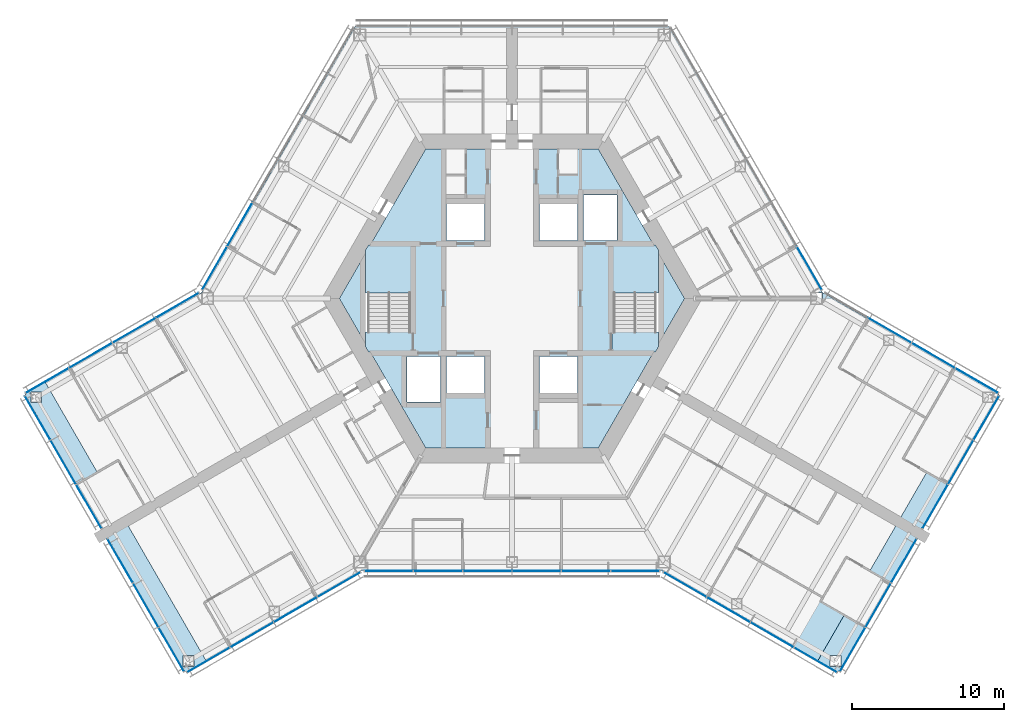
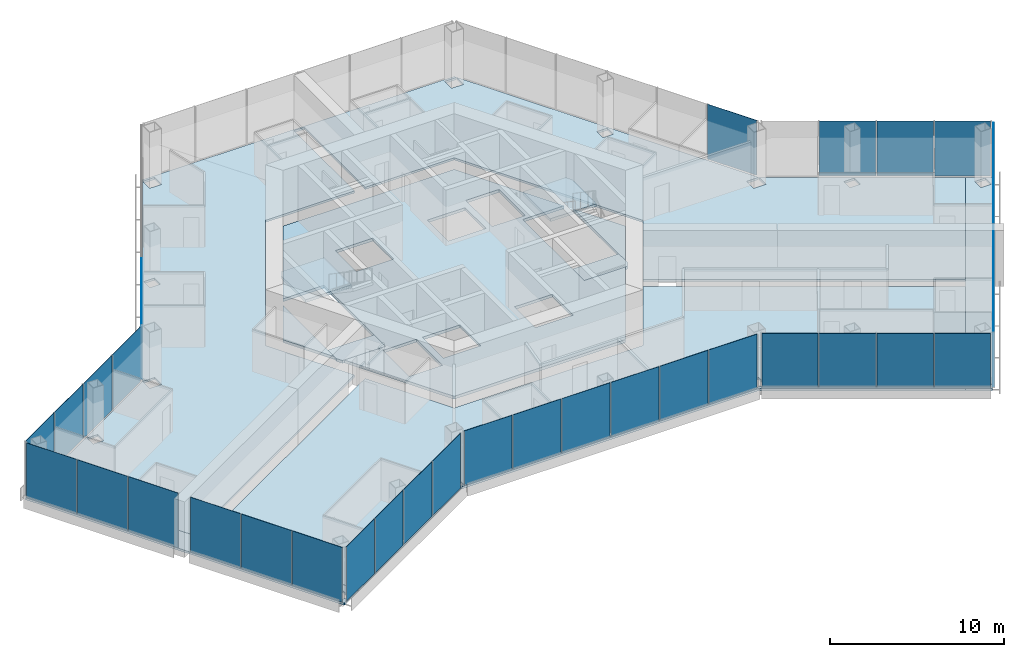
# One storey, part 10 of 18: 36 plates, 11 slabs, 13 elements without a shape of their own.
"""IFC4 building model written with IfcOpenShell, lengths in metres."""

from ifc_helpers import new_model, si_unit, direction, frame, origin, origin_2d, place, context, subcontext, project, spatial, polyline, rectangle, outline, extrude, material, layer, layer_set, type_object, element, aggregate, save


model = new_model("IFC4")

# Units and contexts
model_context = context("Model", 3, precision=1e-05, world=origin(), true_north=direction((0.0, 1.0)))
body_context = subcontext(model_context, "Body", "Model", "MODEL_VIEW")
ifc_project = project(units=[si_unit("LENGTHUNIT", "METRE"), si_unit("AREAUNIT", "SQUARE_METRE"), si_unit("VOLUMEUNIT", "CUBIC_METRE"), si_unit("PLANEANGLEUNIT", "RADIAN"), si_unit("MASSUNIT", "GRAM", prefix="KILO")], contexts=[model_context])

# Site, building, storey
site_placement = place(None, origin())
site = spatial("IfcSite", under=ifc_project, at=site_placement, CompositionType="ELEMENT")
building_placement = place(site_placement, origin())
building = spatial("IfcBuilding", under=site, at=building_placement, Name="Kasaneha Research Tower", CompositionType="ELEMENT")
storey_placement = place(building_placement, frame((0.0, 0.0, 172.10009765625)))
storey = spatial("IfcBuildingStorey", under=building, at=storey_placement, Name="L43", CompositionType="ELEMENT", Elevation=172.10009765625)

# Curtain wall, plates
ifc_material_1 = material(Name="Glass and aluminium", Category="aluminium")
curtain_wall_type = type_object("IfcCurtainWallType", Name="Mid-rise office curtain wall", PredefinedType="USERDEFINED", material=ifc_material_1)
curtain_wall_1_placement = place(storey_placement, origin())
curtain_wall_1 = element("IfcCurtainWall", 1, at=curtain_wall_1_placement, inside=storey, type_object=curtain_wall_type, Name="CW-O2 L43 run 01a", ObjectType="UNITISED CURTAIN WALL", PredefinedType="USERDEFINED")
ifc_material_2 = material(Name="Laminated double glazing", Category="glass")
ifc_layer_1 = layer(ifc_material_2, 0.02587890625)
ifc_layer_set_1 = layer_set([ifc_layer_1], Name="CW-O2 glazed panel")
plate_type = type_object("IfcPlateType", Name="CW-O2 glazed panel", PredefinedType="CURTAIN_PANEL", material=ifc_layer_set_1)
plate_1_placement = place(storey_placement, frame((-8.10107421875, -17.92041015625, 0.06005859375), z_axis=(0.0, 0.0, 1.0), x_axis=(1.0, 0.0, 0.0)))
plate_1 = element("IfcPlate", 2, at=plate_1_placement, type_object=plate_type, Name="CW-O2 panel 1", PredefinedType="CURTAIN_PANEL", context=body_context, shape_type="SweptSolid", body=[
    extrude(rectangle(XDim=3.156494140625, YDim=0.02587890625, at=origin_2d()), origin(), (0.0, 0.0, 1.0), 3.840087890625),
])
plate_2_placement = place(storey_placement, frame((-4.86962890625, -17.92041015625, 0.06005859375), z_axis=(0.0, 0.0, 1.0), x_axis=(1.0, 0.0, 0.0)))
plate_2 = element("IfcPlate", 3, at=plate_2_placement, type_object=plate_type, Name="CW-O2 panel 2", PredefinedType="CURTAIN_PANEL", context=body_context, shape_type="SweptSolid", body=[
    extrude(rectangle(XDim=3.1865234375, YDim=0.02587890625, at=origin_2d()), origin(), (0.0, 0.0, 1.0), 3.840087890625),
])
plate_3_placement = place(storey_placement, frame((-1.623291015625, -17.92041015625, 0.06005859375), z_axis=(0.0, 0.0, 1.0), x_axis=(1.0, 0.0, 0.0)))
plate_3 = element("IfcPlate", 4, at=plate_3_placement, type_object=plate_type, Name="CW-O2 panel 3", PredefinedType="CURTAIN_PANEL", context=body_context, shape_type="SweptSolid", body=[
    extrude(rectangle(XDim=3.1865234375, YDim=0.02587890625, at=origin_2d()), origin(), (0.0, 0.0, 1.0), 3.840087890625),
])
plate_4_placement = place(storey_placement, frame((1.623291015625, -17.92041015625, 0.06005859375), z_axis=(0.0, 0.0, 1.0), x_axis=(1.0, 0.0, 0.0)))
plate_4 = element("IfcPlate", 5, at=plate_4_placement, type_object=plate_type, Name="CW-O2 panel 4", PredefinedType="CURTAIN_PANEL", context=body_context, shape_type="SweptSolid", body=[
    extrude(rectangle(XDim=3.1865234375, YDim=0.02587890625, at=origin_2d()), origin(), (0.0, 0.0, 1.0), 3.840087890625),
])
plate_5_placement = place(storey_placement, frame((4.86962890625, -17.92041015625, 0.06005859375), z_axis=(0.0, 0.0, 1.0), x_axis=(1.0, 0.0, 0.0)))
plate_5 = element("IfcPlate", 6, at=plate_5_placement, type_object=plate_type, Name="CW-O2 panel 5", PredefinedType="CURTAIN_PANEL", context=body_context, shape_type="SweptSolid", body=[
    extrude(rectangle(XDim=3.1865234375, YDim=0.02587890625, at=origin_2d()), origin(), (0.0, 0.0, 1.0), 3.840087890625),
])
plate_6_placement = place(storey_placement, frame((8.10107421875, -17.92041015625, 0.06005859375), z_axis=(0.0, 0.0, 1.0), x_axis=(1.0, 0.0, 0.0)))
plate_6 = element("IfcPlate", 7, at=plate_6_placement, type_object=plate_type, Name="CW-O2 panel 6", PredefinedType="CURTAIN_PANEL", context=body_context, shape_type="SweptSolid", body=[
    extrude(rectangle(XDim=3.156494140625, YDim=0.02587890625, at=origin_2d()), origin(), (0.0, 0.0, 1.0), 3.840087890625),
])
aggregate(curtain_wall_1, [plate_1, plate_2, plate_3, plate_4, plate_5, plate_6])

curtain_wall_2_placement = place(storey_placement, origin())
curtain_wall_2 = element("IfcCurtainWall", 8, at=curtain_wall_2_placement, inside=storey, type_object=curtain_wall_type, Name="CW-O2 L43 run 02a", ObjectType="UNITISED CURTAIN WALL", PredefinedType="USERDEFINED")
plate_7_placement = place(storey_placement, frame((11.3720703125, -18.805419921875, 0.06005859375), z_axis=(0.0, 0.0, 1.0), x_axis=(0.866025411464, -0.499999986699, 0.0)))
plate_7 = element("IfcPlate", 9, at=plate_7_placement, type_object=plate_type, Name="CW-O2 panel 1", PredefinedType="CURTAIN_PANEL", context=body_context, shape_type="SweptSolid", body=[
    extrude(rectangle(XDim=3.2197265625, YDim=0.02587890625, at=origin_2d()), origin(), (0.0, 0.0, 1.0), 3.840087890625),
])
plate_8_placement = place(storey_placement, frame((14.225341796875, -20.452880859375, 0.06005859375), z_axis=(0.0, 0.0, 1.0), x_axis=(0.866025411464, -0.499999986699, 0.0)))
plate_8 = element("IfcPlate", 10, at=plate_8_placement, type_object=plate_type, Name="CW-O2 panel 2", PredefinedType="CURTAIN_PANEL", context=body_context, shape_type="SweptSolid", body=[
    extrude(rectangle(XDim=3.249755859375, YDim=0.02587890625, at=origin_2d()), origin(), (0.0, 0.0, 1.0), 3.840087890625),
])
plate_9_placement = place(storey_placement, frame((17.091796875, -22.107666015625, 0.06005859375), z_axis=(0.0, 0.0, 1.0), x_axis=(0.866025411464, -0.499999986699, 0.0)))
plate_9 = element("IfcPlate", 11, at=plate_9_placement, type_object=plate_type, Name="CW-O2 panel 3", PredefinedType="CURTAIN_PANEL", context=body_context, shape_type="SweptSolid", body=[
    extrude(rectangle(XDim=3.249755859375, YDim=0.02587890625, at=origin_2d()), origin(), (0.0, 0.0, 1.0), 3.840087890625),
])
plate_10_placement = place(storey_placement, frame((19.945068359375, -23.755126953125, 0.06005859375), z_axis=(0.0, 0.0, 1.0), x_axis=(0.866025411464, -0.499999986699, 0.0)))
plate_10 = element("IfcPlate", 12, at=plate_10_placement, type_object=plate_type, Name="CW-O2 panel 4", PredefinedType="CURTAIN_PANEL", context=body_context, shape_type="SweptSolid", body=[
    extrude(rectangle(XDim=3.2197265625, YDim=0.02587890625, at=origin_2d()), origin(), (0.0, 0.0, 1.0), 3.840087890625),
])
aggregate(curtain_wall_2, [plate_7, plate_8, plate_9, plate_10])

curtain_wall_3_placement = place(storey_placement, origin())
curtain_wall_3 = element("IfcCurtainWall", 13, at=curtain_wall_3_placement, inside=storey, type_object=curtain_wall_type, Name="CW-O2 L43 run 03a", ObjectType="UNITISED CURTAIN WALL", PredefinedType="USERDEFINED")
plate_11_placement = place(storey_placement, frame((22.38134765625, -23.075439453125, 0.06005859375), z_axis=(0.0, 0.0, 1.0), x_axis=(0.500000011442, 0.866025397178, 0.0)))
plate_11 = element("IfcPlate", 14, at=plate_11_placement, type_object=plate_type, Name="CW-O2 panel 1", PredefinedType="CURTAIN_PANEL", context=body_context, shape_type="SweptSolid", body=[
    extrude(rectangle(XDim=3.293212890625, YDim=0.02587890625, at=origin_2d()), origin(), (0.0, 0.0, 1.0), 3.840087890625),
])
plate_12_placement = place(storey_placement, frame((24.0654296875, -20.158447265625, 0.06005859375), z_axis=(0.0, 0.0, 1.0), x_axis=(0.500000011442, 0.866025397178, 0.0)))
plate_12 = element("IfcPlate", 15, at=plate_12_placement, type_object=plate_type, Name="CW-O2 panel 2", PredefinedType="CURTAIN_PANEL", context=body_context, shape_type="SweptSolid", body=[
    extrude(rectangle(XDim=3.3232421875, YDim=0.02587890625, at=origin_2d()), origin(), (0.0, 0.0, 1.0), 3.840087890625),
])
plate_13_placement = place(storey_placement, frame((25.74951171875, -17.241455078125, 0.06005859375), z_axis=(0.0, 0.0, 1.0), x_axis=(0.500000011442, 0.866025397178, 0.0)))
plate_13 = element("IfcPlate", 16, at=plate_13_placement, type_object=plate_type, Name="CW-O2 panel 3", PredefinedType="CURTAIN_PANEL", context=body_context, shape_type="SweptSolid", body=[
    extrude(rectangle(XDim=3.293212890625, YDim=0.02587890625, at=origin_2d()), origin(), (0.0, 0.0, 1.0), 3.840087890625),
])
aggregate(curtain_wall_3, [plate_11, plate_12, plate_13])

curtain_wall_4_placement = place(storey_placement, origin())
curtain_wall_4 = element("IfcCurtainWall", 17, at=curtain_wall_4_placement, inside=storey, type_object=curtain_wall_type, Name="CW-O2 L43 run 04a", ObjectType="UNITISED CURTAIN WALL", PredefinedType="USERDEFINED")
plate_14_placement = place(storey_placement, frame((27.806396484375, -13.67919921875, 0.06005859375), z_axis=(0.0, 0.0, 1.0), x_axis=(0.500000011442, 0.866025397178, 0.0)))
plate_14 = element("IfcPlate", 18, at=plate_14_placement, type_object=plate_type, Name="CW-O2 panel 1", PredefinedType="CURTAIN_PANEL", context=body_context, shape_type="SweptSolid", body=[
    extrude(rectangle(XDim=3.293212890625, YDim=0.02587890625, at=origin_2d()), origin(), (0.0, 0.0, 1.0), 3.840087890625),
])
plate_15_placement = place(storey_placement, frame((29.490478515625, -10.761962890625, 0.06005859375), z_axis=(0.0, 0.0, 1.0), x_axis=(0.500000011442, 0.866025397178, 0.0)))
plate_15 = element("IfcPlate", 19, at=plate_15_placement, type_object=plate_type, Name="CW-O2 panel 2", PredefinedType="CURTAIN_PANEL", context=body_context, shape_type="SweptSolid", body=[
    extrude(rectangle(XDim=3.3232421875, YDim=0.02587890625, at=origin_2d()), origin(), (0.0, 0.0, 1.0), 3.840087890625),
])
plate_16_placement = place(storey_placement, frame((31.174560546875, -7.844970703125, 0.06005859375), z_axis=(0.0, 0.0, 1.0), x_axis=(0.500000011442, 0.866025397178, 0.0)))
plate_16 = element("IfcPlate", 20, at=plate_16_placement, type_object=plate_type, Name="CW-O2 panel 3", PredefinedType="CURTAIN_PANEL", context=body_context, shape_type="SweptSolid", body=[
    extrude(rectangle(XDim=3.293212890625, YDim=0.02587890625, at=origin_2d()), origin(), (0.0, 0.0, 1.0), 3.840087890625),
])
aggregate(curtain_wall_4, [plate_14, plate_15, plate_16])

curtain_wall_5_placement = place(storey_placement, origin())
curtain_wall_5 = element("IfcCurtainWall", 21, at=curtain_wall_5_placement, inside=storey, type_object=curtain_wall_type, Name="CW-O2 L43 run 05a", ObjectType="UNITISED CURTAIN WALL", PredefinedType="USERDEFINED")
plate_17_placement = place(storey_placement, frame((30.545166015625, -5.3955078125, 0.06005859375), z_axis=(0.0, 0.0, 1.0), x_axis=(-0.866025411464, 0.499999986699, 0.0)))
plate_17 = element("IfcPlate", 22, at=plate_17_placement, type_object=plate_type, Name="CW-O2 panel 1", PredefinedType="CURTAIN_PANEL", context=body_context, shape_type="SweptSolid", body=[
    extrude(rectangle(XDim=3.2197265625, YDim=0.02587890625, at=origin_2d()), origin(), (0.0, 0.0, 1.0), 3.840087890625),
])
plate_18_placement = place(storey_placement, frame((27.69189453125, -3.748046875, 0.06005859375), z_axis=(0.0, 0.0, 1.0), x_axis=(-0.866025411464, 0.499999986699, 0.0)))
plate_18 = element("IfcPlate", 23, at=plate_18_placement, type_object=plate_type, Name="CW-O2 panel 2", PredefinedType="CURTAIN_PANEL", context=body_context, shape_type="SweptSolid", body=[
    extrude(rectangle(XDim=3.249755859375, YDim=0.02587890625, at=origin_2d()), origin(), (0.0, 0.0, 1.0), 3.840087890625),
])
plate_19_placement = place(storey_placement, frame((24.825439453125, -2.093017578125, 0.06005859375), z_axis=(0.0, 0.0, 1.0), x_axis=(-0.866025411464, 0.499999986699, 0.0)))
plate_19 = element("IfcPlate", 24, at=plate_19_placement, type_object=plate_type, Name="CW-O2 panel 3", PredefinedType="CURTAIN_PANEL", context=body_context, shape_type="SweptSolid", body=[
    extrude(rectangle(XDim=3.249755859375, YDim=0.02587890625, at=origin_2d()), origin(), (0.0, 0.0, 1.0), 3.840087890625),
])
aggregate(curtain_wall_5, [plate_17, plate_18, plate_19])

# Curtain wall, plate
curtain_wall_6_placement = place(storey_placement, origin())
curtain_wall_6 = element("IfcCurtainWall", 25, at=curtain_wall_6_placement, inside=storey, type_object=curtain_wall_type, Name="CW-O2 L43 run 06a", ObjectType="UNITISED CURTAIN WALL", PredefinedType="USERDEFINED")
plate_20_placement = place(storey_placement, frame((19.549072265625, 1.981201171875, 0.06005859375), z_axis=(0.0, 0.0, 1.0), x_axis=(-0.499999979232, 0.866025415775, 0.0)))
plate_20 = element("IfcPlate", 26, at=plate_20_placement, type_object=plate_type, Name="CW-O2 panel 1", PredefinedType="CURTAIN_PANEL", context=body_context, shape_type="SweptSolid", body=[
    extrude(rectangle(XDim=3.240966796875, YDim=0.02587890625, at=origin_2d()), origin(), (0.0, 0.0, 1.0), 3.840087890625),
])
aggregate(curtain_wall_6, [plate_20])

# Curtain wall, plates
curtain_wall_7_placement = place(storey_placement, origin())
curtain_wall_7 = element("IfcCurtainWall", 27, at=curtain_wall_7_placement, inside=storey, type_object=curtain_wall_type, Name="CW-O2 L43 run 08a", ObjectType="UNITISED CURTAIN WALL", PredefinedType="USERDEFINED")
plate_21_placement = place(storey_placement, frame((-17.89111328125, 4.852783203125, 0.06005859375), z_axis=(0.0, 0.0, 1.0), x_axis=(-0.499999979232, -0.866025415775, 0.0)))
plate_21 = element("IfcPlate", 28, at=plate_21_placement, type_object=plate_type, Name="CW-O2 panel 5", PredefinedType="CURTAIN_PANEL", context=body_context, shape_type="SweptSolid", body=[
    extrude(rectangle(XDim=3.27099609375, YDim=0.02587890625, at=origin_2d()), origin(), (0.0, 0.0, 1.0), 3.840087890625),
])
plate_22_placement = place(storey_placement, frame((-19.549072265625, 1.981201171875, 0.06005859375), z_axis=(0.0, 0.0, 1.0), x_axis=(-0.499999979232, -0.866025415775, 0.0)))
plate_22 = element("IfcPlate", 29, at=plate_22_placement, type_object=plate_type, Name="CW-O2 panel 6", PredefinedType="CURTAIN_PANEL", context=body_context, shape_type="SweptSolid", body=[
    extrude(rectangle(XDim=3.240966796875, YDim=0.02587890625, at=origin_2d()), origin(), (0.0, 0.0, 1.0), 3.840087890625),
])
aggregate(curtain_wall_7, [plate_21, plate_22])

curtain_wall_8_placement = place(storey_placement, origin())
curtain_wall_8 = element("IfcCurtainWall", 30, at=curtain_wall_8_placement, inside=storey, type_object=curtain_wall_type, Name="CW-O2 L43 run 09a", ObjectType="UNITISED CURTAIN WALL", PredefinedType="USERDEFINED")
plate_23_placement = place(storey_placement, frame((-21.971923828125, -0.44580078125, 0.06005859375), z_axis=(0.0, 0.0, 1.0), x_axis=(-0.866025411464, -0.499999986699, 0.0)))
plate_23 = element("IfcPlate", 31, at=plate_23_placement, type_object=plate_type, Name="CW-O2 panel 1", PredefinedType="CURTAIN_PANEL", context=body_context, shape_type="SweptSolid", body=[
    extrude(rectangle(XDim=3.2197265625, YDim=0.02587890625, at=origin_2d()), origin(), (0.0, 0.0, 1.0), 3.840087890625),
])
plate_24_placement = place(storey_placement, frame((-24.825439453125, -2.093017578125, 0.06005859375), z_axis=(0.0, 0.0, 1.0), x_axis=(-0.866025411464, -0.499999986699, 0.0)))
plate_24 = element("IfcPlate", 32, at=plate_24_placement, type_object=plate_type, Name="CW-O2 panel 2", PredefinedType="CURTAIN_PANEL", context=body_context, shape_type="SweptSolid", body=[
    extrude(rectangle(XDim=3.249755859375, YDim=0.02587890625, at=origin_2d()), origin(), (0.0, 0.0, 1.0), 3.840087890625),
])
plate_25_placement = place(storey_placement, frame((-27.69189453125, -3.748046875, 0.06005859375), z_axis=(0.0, 0.0, 1.0), x_axis=(-0.866025411464, -0.499999986699, 0.0)))
plate_25 = element("IfcPlate", 33, at=plate_25_placement, type_object=plate_type, Name="CW-O2 panel 3", PredefinedType="CURTAIN_PANEL", context=body_context, shape_type="SweptSolid", body=[
    extrude(rectangle(XDim=3.249755859375, YDim=0.02587890625, at=origin_2d()), origin(), (0.0, 0.0, 1.0), 3.840087890625),
])
plate_26_placement = place(storey_placement, frame((-30.545166015625, -5.3955078125, 0.06005859375), z_axis=(0.0, 0.0, 1.0), x_axis=(-0.866025411464, -0.499999986699, 0.0)))
plate_26 = element("IfcPlate", 34, at=plate_26_placement, type_object=plate_type, Name="CW-O2 panel 4", PredefinedType="CURTAIN_PANEL", context=body_context, shape_type="SweptSolid", body=[
    extrude(rectangle(XDim=3.2197265625, YDim=0.02587890625, at=origin_2d()), origin(), (0.0, 0.0, 1.0), 3.840087890625),
])
aggregate(curtain_wall_8, [plate_23, plate_24, plate_25, plate_26])

curtain_wall_9_placement = place(storey_placement, origin())
curtain_wall_9 = element("IfcCurtainWall", 35, at=curtain_wall_9_placement, inside=storey, type_object=curtain_wall_type, Name="CW-O2 L43 run 10a", ObjectType="UNITISED CURTAIN WALL", PredefinedType="USERDEFINED")
plate_27_placement = place(storey_placement, frame((-31.174560546875, -7.844970703125, 0.06005859375), z_axis=(0.0, 0.0, 1.0), x_axis=(0.500000011442, -0.866025397178, 0.0)))
plate_27 = element("IfcPlate", 36, at=plate_27_placement, type_object=plate_type, Name="CW-O2 panel 1", PredefinedType="CURTAIN_PANEL", context=body_context, shape_type="SweptSolid", body=[
    extrude(rectangle(XDim=3.293212890625, YDim=0.02587890625, at=origin_2d()), origin(), (0.0, 0.0, 1.0), 3.840087890625),
])
plate_28_placement = place(storey_placement, frame((-29.490478515625, -10.761962890625, 0.06005859375), z_axis=(0.0, 0.0, 1.0), x_axis=(0.500000011442, -0.866025397178, 0.0)))
plate_28 = element("IfcPlate", 37, at=plate_28_placement, type_object=plate_type, Name="CW-O2 panel 2", PredefinedType="CURTAIN_PANEL", context=body_context, shape_type="SweptSolid", body=[
    extrude(rectangle(XDim=3.3232421875, YDim=0.02587890625, at=origin_2d()), origin(), (0.0, 0.0, 1.0), 3.840087890625),
])
plate_29_placement = place(storey_placement, frame((-27.806396484375, -13.67919921875, 0.06005859375), z_axis=(0.0, 0.0, 1.0), x_axis=(0.500000011442, -0.866025397178, 0.0)))
plate_29 = element("IfcPlate", 38, at=plate_29_placement, type_object=plate_type, Name="CW-O2 panel 3", PredefinedType="CURTAIN_PANEL", context=body_context, shape_type="SweptSolid", body=[
    extrude(rectangle(XDim=3.293212890625, YDim=0.02587890625, at=origin_2d()), origin(), (0.0, 0.0, 1.0), 3.840087890625),
])
aggregate(curtain_wall_9, [plate_27, plate_28, plate_29])

curtain_wall_10_placement = place(storey_placement, origin())
curtain_wall_10 = element("IfcCurtainWall", 39, at=curtain_wall_10_placement, inside=storey, type_object=curtain_wall_type, Name="CW-O2 L43 run 11a", ObjectType="UNITISED CURTAIN WALL", PredefinedType="USERDEFINED")
plate_30_placement = place(storey_placement, frame((-25.74951171875, -17.241455078125, 0.06005859375), z_axis=(0.0, 0.0, 1.0), x_axis=(0.500000011442, -0.866025397178, 0.0)))
plate_30 = element("IfcPlate", 40, at=plate_30_placement, type_object=plate_type, Name="CW-O2 panel 1", PredefinedType="CURTAIN_PANEL", context=body_context, shape_type="SweptSolid", body=[
    extrude(rectangle(XDim=3.293212890625, YDim=0.02587890625, at=origin_2d()), origin(), (0.0, 0.0, 1.0), 3.840087890625),
])
plate_31_placement = place(storey_placement, frame((-24.0654296875, -20.158447265625, 0.06005859375), z_axis=(0.0, 0.0, 1.0), x_axis=(0.500000011442, -0.866025397178, 0.0)))
plate_31 = element("IfcPlate", 41, at=plate_31_placement, type_object=plate_type, Name="CW-O2 panel 2", PredefinedType="CURTAIN_PANEL", context=body_context, shape_type="SweptSolid", body=[
    extrude(rectangle(XDim=3.3232421875, YDim=0.02587890625, at=origin_2d()), origin(), (0.0, 0.0, 1.0), 3.840087890625),
])
plate_32_placement = place(storey_placement, frame((-22.38134765625, -23.075439453125, 0.06005859375), z_axis=(0.0, 0.0, 1.0), x_axis=(0.500000011442, -0.866025397178, 0.0)))
plate_32 = element("IfcPlate", 42, at=plate_32_placement, type_object=plate_type, Name="CW-O2 panel 3", PredefinedType="CURTAIN_PANEL", context=body_context, shape_type="SweptSolid", body=[
    extrude(rectangle(XDim=3.293212890625, YDim=0.02587890625, at=origin_2d()), origin(), (0.0, 0.0, 1.0), 3.840087890625),
])
aggregate(curtain_wall_10, [plate_30, plate_31, plate_32])

curtain_wall_11_placement = place(storey_placement, origin())
curtain_wall_11 = element("IfcCurtainWall", 43, at=curtain_wall_11_placement, inside=storey, type_object=curtain_wall_type, Name="CW-O2 L43 run 12a", ObjectType="UNITISED CURTAIN WALL", PredefinedType="USERDEFINED")
plate_33_placement = place(storey_placement, frame((-19.945068359375, -23.755126953125, 0.06005859375), z_axis=(0.0, 0.0, 1.0), x_axis=(0.866025411464, 0.499999986699, 0.0)))
plate_33 = element("IfcPlate", 44, at=plate_33_placement, type_object=plate_type, Name="CW-O2 panel 1", PredefinedType="CURTAIN_PANEL", context=body_context, shape_type="SweptSolid", body=[
    extrude(rectangle(XDim=3.2197265625, YDim=0.02587890625, at=origin_2d()), origin(), (0.0, 0.0, 1.0), 3.840087890625),
])
plate_34_placement = place(storey_placement, frame((-17.091796875, -22.107666015625, 0.06005859375), z_axis=(0.0, 0.0, 1.0), x_axis=(0.866025411464, 0.499999986699, 0.0)))
plate_34 = element("IfcPlate", 45, at=plate_34_placement, type_object=plate_type, Name="CW-O2 panel 2", PredefinedType="CURTAIN_PANEL", context=body_context, shape_type="SweptSolid", body=[
    extrude(rectangle(XDim=3.249755859375, YDim=0.02587890625, at=origin_2d()), origin(), (0.0, 0.0, 1.0), 3.840087890625),
])
plate_35_placement = place(storey_placement, frame((-14.225341796875, -20.452880859375, 0.06005859375), z_axis=(0.0, 0.0, 1.0), x_axis=(0.866025411464, 0.499999986699, 0.0)))
plate_35 = element("IfcPlate", 46, at=plate_35_placement, type_object=plate_type, Name="CW-O2 panel 3", PredefinedType="CURTAIN_PANEL", context=body_context, shape_type="SweptSolid", body=[
    extrude(rectangle(XDim=3.249755859375, YDim=0.02587890625, at=origin_2d()), origin(), (0.0, 0.0, 1.0), 3.840087890625),
])
plate_36_placement = place(storey_placement, frame((-11.3720703125, -18.805419921875, 0.06005859375), z_axis=(0.0, 0.0, 1.0), x_axis=(0.866025411464, 0.499999986699, 0.0)))
plate_36 = element("IfcPlate", 47, at=plate_36_placement, type_object=plate_type, Name="CW-O2 panel 4", PredefinedType="CURTAIN_PANEL", context=body_context, shape_type="SweptSolid", body=[
    extrude(rectangle(XDim=3.2197265625, YDim=0.02587890625, at=origin_2d()), origin(), (0.0, 0.0, 1.0), 3.840087890625),
])
aggregate(curtain_wall_11, [plate_33, plate_34, plate_35, plate_36])

# Slabs
ifc_material_3 = material(Name="Concrete Fc24", Category="concrete")
ifc_layer_2 = layer(ifc_material_3, 0.199951171875)
ifc_layer_set_2 = layer_set([ifc_layer_2], Name="Core floor slab 200")
slab_type_1 = type_object("IfcSlabType", Name="Core floor slab 200", PredefinedType="FLOOR", material=ifc_layer_set_2)
slab_1_placement = place(storey_placement, frame((0.0, 0.0, -0.2001953125)))
element("IfcSlab", 48, at=slab_1_placement, inside=storey, type_object=slab_type_1, Name="Core slab L43", PredefinedType="FLOOR", context=body_context, shape_type="SweptSolid", body=[
    extrude(outline(polyline([(-11.344970703125, 0.0), (-9.625, 2.97900390625), (-9.625, -2.97900390625), (-11.344970703125, 0.0)])), origin(), (0.0, 0.0, 1.0), 0.2001953125),
])
slab_2_placement = place(storey_placement, frame((0.0, 0.0, -0.2001953125)))
element("IfcSlab", 49, at=slab_2_placement, inside=storey, type_object=slab_type_1, Name="Core slab L43", PredefinedType="FLOOR", context=body_context, shape_type="SweptSolid", body=[
    extrude(outline(polyline([(-5.67236328125, 9.824951171875), (5.67236328125, 9.824951171875), (9.309814453125, 3.52490234375), (6.574951171875, 3.52490234375), (6.574951171875, -3.52490234375), (9.309814453125, -3.52490234375), (5.67236328125, -9.824951171875), (-5.67236328125, -9.824951171875), (-9.309814453125, -3.52490234375), (-6.574951171875, -3.52490234375), (-6.574951171875, 3.52490234375), (-9.309814453125, 3.52490234375), (-5.67236328125, 9.824951171875)]), holes=[polyline([(-6.89990234375, -3.800048828125), (-6.89990234375, -6.800048828125), (-4.699951171875, -6.800048828125), (-4.699951171875, -3.800048828125), (-6.89990234375, -3.800048828125)]), polyline([(-4.300048828125, -3.800048828125), (-4.300048828125, -6.199951171875), (-1.800048828125, -6.199951171875), (-1.800048828125, -3.800048828125), (-4.300048828125, -3.800048828125)]), polyline([(1.800048828125, -3.800048828125), (1.800048828125, -6.199951171875), (4.300048828125, -6.199951171875), (4.300048828125, -3.800048828125), (1.800048828125, -3.800048828125)]), polyline([(-4.300048828125, 6.199951171875), (-4.300048828125, 3.800048828125), (-1.800048828125, 3.800048828125), (-1.800048828125, 6.199951171875), (-4.300048828125, 6.199951171875)]), polyline([(4.300048828125, 6.199951171875), (1.800048828125, 6.199951171875), (1.800048828125, 3.800048828125), (4.300048828125, 3.800048828125), (4.300048828125, 6.199951171875)]), polyline([(6.89990234375, 6.800048828125), (4.699951171875, 6.800048828125), (4.699951171875, 3.800048828125), (6.89990234375, 3.800048828125), (6.89990234375, 6.800048828125)])]), origin(), (0.0, 0.0, 1.0), 0.2001953125),
])
slab_3_placement = place(storey_placement, frame((0.0, 0.0, -0.2001953125)))
element("IfcSlab", 50, at=slab_3_placement, inside=storey, type_object=slab_type_1, Name="Core slab L43", PredefinedType="FLOOR", context=body_context, shape_type="SweptSolid", body=[
    extrude(outline(polyline([(11.344970703125, 0.0), (9.625, -2.97900390625), (9.625, 2.97900390625), (11.344970703125, 0.0)])), origin(), (0.0, 0.0, 1.0), 0.2001953125),
])
ifc_material_4 = material(Name="Concrete Fc24", Category="concrete")
ifc_layer_3 = layer(ifc_material_4, 0.14990234375)
ifc_layer_set_3 = layer_set([ifc_layer_3], Name="Floor slab 150")
slab_type_2 = type_object("IfcSlabType", Name="Floor slab 150", PredefinedType="FLOOR", material=ifc_layer_set_3)
slab_4_placement = place(storey_placement, frame((0.0, 0.0, -0.150146484375)))
element("IfcSlab", 51, at=slab_4_placement, inside=storey, type_object=slab_type_2, Name="Floor slab L43 1", PredefinedType="FLOOR", context=body_context, shape_type="SweptSolid", body=[
    extrude(outline(polyline([(-32.009521484375, -6.298583984375), (-30.65869140625, -5.518798828125), (-25.55859375, -14.35205078125), (-25.5673828125, -14.357177734375), (-25.21728515625, -14.96337890625), (-25.208740234375, -14.958251953125), (-20.108642578125, -23.791748046875), (-21.459716796875, -24.57177734375), (-32.009521484375, -6.298583984375)]), holes=[polyline([(-20.908447265625, -24.17041015625), (-20.908447265625, -23.470458984375), (-21.6083984375, -23.470458984375), (-21.6083984375, -24.17041015625), (-20.908447265625, -24.17041015625)]), polyline([(-30.908447265625, -6.85009765625), (-30.908447265625, -6.14990234375), (-31.6083984375, -6.14990234375), (-31.6083984375, -6.85009765625), (-30.908447265625, -6.85009765625)])]), origin(), (0.0, 0.0, 1.0), 0.150146484375),
])
slab_5_placement = place(storey_placement, frame((0.0, 0.0, -0.150146484375)))
element("IfcSlab", 52, at=slab_5_placement, inside=storey, type_object=slab_type_2, Name="Floor slab L43 2", PredefinedType="FLOOR", context=body_context, shape_type="SweptSolid", body=[
    extrude(outline(polyline([(9.8525390625, -17.87060546875), (-9.8525390625, -17.87060546875), (-20.108642578125, -23.791748046875), (-25.208740234375, -14.958251953125), (-9.19970703125, -5.715576171875), (-6.249755859375, -10.824951171875), (6.249755859375, -10.824951171875), (9.19970703125, -5.715576171875), (25.208740234375, -14.958251953125), (20.108642578125, -23.791748046875), (9.8525390625, -17.87060546875)]), holes=[polyline([(-15.279052734375, -20.92041015625), (-15.279052734375, -20.220458984375), (-15.979248046875, -20.220458984375), (-15.979248046875, -20.92041015625), (-15.279052734375, -20.92041015625)]), polyline([(0.35009765625, -17.67041015625), (0.35009765625, -16.970458984375), (-0.35009765625, -16.970458984375), (-0.35009765625, -17.67041015625), (0.35009765625, -17.67041015625)]), polyline([(-10.39990234375, -17.720458984375), (-9.60009765625, -17.720458984375), (-9.60009765625, -16.92041015625), (-10.39990234375, -16.92041015625), (-10.39990234375, -17.720458984375)]), polyline([(15.113037109375, -20.42041015625), (15.113037109375, -19.720458984375), (14.4130859375, -19.720458984375), (14.4130859375, -20.42041015625), (15.113037109375, -20.42041015625)]), polyline([(9.60009765625, -17.720458984375), (10.39990234375, -17.720458984375), (10.39990234375, -16.92041015625), (9.60009765625, -16.92041015625), (9.60009765625, -17.720458984375)])]), origin(), (0.0, 0.0, 1.0), 0.150146484375),
])
slab_6_placement = place(storey_placement, frame((0.0, 0.0, -0.150146484375)))
element("IfcSlab", 53, at=slab_6_placement, inside=storey, type_object=slab_type_2, Name="Floor slab L43 3", PredefinedType="FLOOR", context=body_context, shape_type="SweptSolid", body=[
    extrude(outline(polyline([(-20.400146484375, -0.400146484375), (-19.599853515625, -0.400146484375), (-19.599853515625, 0.400146484375), (-20.385986328125, 0.400146484375), (-20.3974609375, 0.41162109375), (-10.40771484375, 17.714111328125), (-10.400146484375, 17.70654296875), (-10.400146484375, 16.92041015625), (-9.599853515625, 16.92041015625), (-9.599853515625, 17.720703125), (-10.385986328125, 17.720703125), (-10.3974609375, 17.732177734375), (-10.317626953125, 17.87060546875), (10.317626953125, 17.87060546875), (10.3974609375, 17.732177734375), (10.385986328125, 17.720703125), (9.599853515625, 17.720703125), (9.599853515625, 16.92041015625), (10.400146484375, 16.92041015625), (10.400146484375, 17.70654296875), (10.40771484375, 17.714111328125), (20.3974609375, 0.41162109375), (20.385986328125, 0.400146484375), (19.599853515625, 0.400146484375), (19.599853515625, -0.400146484375), (20.400146484375, -0.400146484375), (20.400146484375, 0.385986328125), (20.41162109375, 0.3974609375), (30.65869140625, -5.518798828125), (25.55859375, -14.35205078125), (9.5498046875, -5.109375), (12.49951171875, 0.0), (6.249755859375, 10.824951171875), (0.35009765625, 10.824951171875), (0.35009765625, 17.7705078125), (-0.35009765625, 17.7705078125), (-0.35009765625, 10.824951171875), (-6.249755859375, 10.824951171875), (-12.49951171875, 0.0), (-9.5498046875, -5.109375), (-25.55859375, -14.35205078125), (-30.65869140625, -5.518798828125), (-20.41162109375, 0.3974609375), (-20.400146484375, 0.385986328125), (-20.400146484375, -0.400146484375)]), holes=[polyline([(-25.279052734375, -3.60009765625), (-25.279052734375, -2.89990234375), (-25.979248046875, -2.89990234375), (-25.979248046875, -3.60009765625), (-25.279052734375, -3.60009765625)]), polyline([(-15.35009765625, 8.310302734375), (-14.64990234375, 8.310302734375), (-14.64990234375, 9.01025390625), (-15.35009765625, 9.01025390625), (-15.35009765625, 8.310302734375)]), polyline([(24.4130859375, -3.10009765625), (25.113037109375, -3.10009765625), (25.113037109375, -2.39990234375), (24.4130859375, -2.39990234375), (24.4130859375, -3.10009765625)]), polyline([(14.64990234375, 8.310302734375), (15.35009765625, 8.310302734375), (15.35009765625, 9.01025390625), (14.64990234375, 9.01025390625), (14.64990234375, 8.310302734375)])]), origin(), (0.0, 0.0, 1.0), 0.150146484375),
])
slab_7_placement = place(storey_placement, frame((0.0, 0.0, -0.150146484375)))
element("IfcSlab", 54, at=slab_7_placement, inside=storey, type_object=slab_type_2, Name="Floor slab L43 4", PredefinedType="FLOOR", context=body_context, shape_type="SweptSolid", body=[
    extrude(outline(polyline([(32.009521484375, -6.298583984375), (21.459716796875, -24.57177734375), (20.108642578125, -23.791748046875), (25.208740234375, -14.958251953125), (25.21728515625, -14.96337890625), (25.5673828125, -14.357177734375), (25.55859375, -14.35205078125), (30.65869140625, -5.518798828125), (32.009521484375, -6.298583984375)]), holes=[polyline([(21.6083984375, -24.17041015625), (21.6083984375, -23.470458984375), (20.908447265625, -23.470458984375), (20.908447265625, -24.17041015625), (21.6083984375, -24.17041015625)]), polyline([(31.6083984375, -6.85009765625), (31.6083984375, -6.14990234375), (30.908447265625, -6.14990234375), (30.908447265625, -6.85009765625), (31.6083984375, -6.85009765625)])]), origin(), (0.0, 0.0, 1.0), 0.150146484375),
])

# Stair, slabs
ifc_material_5 = material(Name="Concrete Fc24", Category="concrete")
stair_type = type_object("IfcStairType", Name="Half-turn stair 22 risers", PredefinedType="HALF_TURN_STAIR", material=ifc_material_5)
stair_1_placement = place(storey_placement, origin())
stair_1 = element("IfcStair", 55, at=stair_1_placement, inside=storey, type_object=stair_type, Name="Stair 1 L43", PredefinedType="HALF_TURN_STAIR")
ifc_material_6 = material(Name="Concrete Fc24", Category="concrete")
ifc_layer_4 = layer(ifc_material_6, 0.199951171875)
ifc_layer_set_4 = layer_set([ifc_layer_4], Name="Stair 1 landing 200")
slab_type_3 = type_object("IfcSlabType", Name="Stair 1 landing 200", PredefinedType="LANDING", material=ifc_layer_set_4)
slab_8_placement = place(storey_placement, frame((0.0, 0.0, -0.2001953125)))
slab_8 = element("IfcSlab", 56, at=slab_8_placement, type_object=slab_type_3, Name="ST1-22R landing 1", PredefinedType="LANDING", context=body_context, shape_type="SweptSolid", body=[
    extrude(outline(polyline([(9.42529296875, -3.52490234375), (6.574951171875, -3.52490234375), (6.574951171875, -2.199951171875), (9.625, -2.199951171875), (9.625, -3.178955078125), (9.42529296875, -3.52490234375)])), origin(), (0.0, 0.0, 1.0), 0.2001953125),
])
slab_9_placement = place(storey_placement, frame((0.0, 0.0, 1.75)))
slab_9 = element("IfcSlab", 57, at=slab_9_placement, type_object=slab_type_3, Name="ST1-22R landing 2", PredefinedType="LANDING", context=body_context, shape_type="SweptSolid", body=[
    extrude(outline(polyline([(6.574951171875, 3.52490234375), (9.42529296875, 3.52490234375), (9.625, 3.178955078125), (9.625, 0.375), (6.574951171875, 0.375), (6.574951171875, 3.52490234375)])), origin(), (0.0, 0.0, 1.0), 0.199951171875),
])
aggregate(stair_1, [slab_8, slab_9])

stair_2_placement = place(storey_placement, origin())
stair_2 = element("IfcStair", 58, at=stair_2_placement, inside=storey, type_object=stair_type, Name="Stair 2 L43", PredefinedType="HALF_TURN_STAIR")
ifc_material_7 = material(Name="Concrete Fc24", Category="concrete")
ifc_layer_5 = layer(ifc_material_7, 0.199951171875)
ifc_layer_set_5 = layer_set([ifc_layer_5], Name="Stair 2 landing 200")
slab_type_4 = type_object("IfcSlabType", Name="Stair 2 landing 200", PredefinedType="LANDING", material=ifc_layer_set_5)
slab_10_placement = place(storey_placement, frame((0.0, 0.0, -0.2001953125)))
slab_10 = element("IfcSlab", 59, at=slab_10_placement, type_object=slab_type_4, Name="ST2-22R landing 1", PredefinedType="LANDING", context=body_context, shape_type="SweptSolid", body=[
    extrude(outline(polyline([(-6.574951171875, -3.52490234375), (-9.42529296875, -3.52490234375), (-9.625, -3.178955078125), (-9.625, -2.199951171875), (-6.574951171875, -2.199951171875), (-6.574951171875, -3.52490234375)])), origin(), (0.0, 0.0, 1.0), 0.2001953125),
])
slab_11_placement = place(storey_placement, frame((0.0, 0.0, 1.75)))
slab_11 = element("IfcSlab", 60, at=slab_11_placement, type_object=slab_type_4, Name="ST2-22R landing 2", PredefinedType="LANDING", context=body_context, shape_type="SweptSolid", body=[
    extrude(outline(polyline([(-6.574951171875, 0.375), (-9.625, 0.375), (-9.625, 3.178955078125), (-9.42529296875, 3.52490234375), (-6.574951171875, 3.52490234375), (-6.574951171875, 0.375)])), origin(), (0.0, 0.0, 1.0), 0.199951171875),
])
aggregate(stair_2, [slab_10, slab_11])

save(model, "model.ifc")
